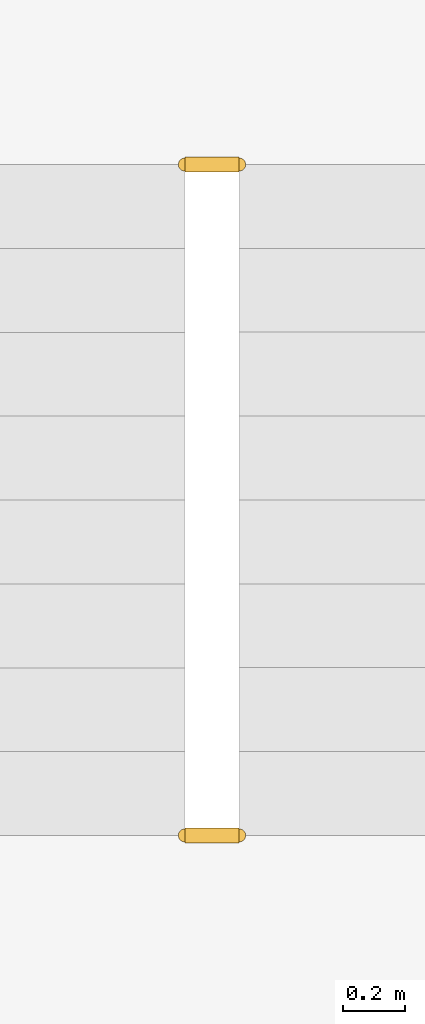
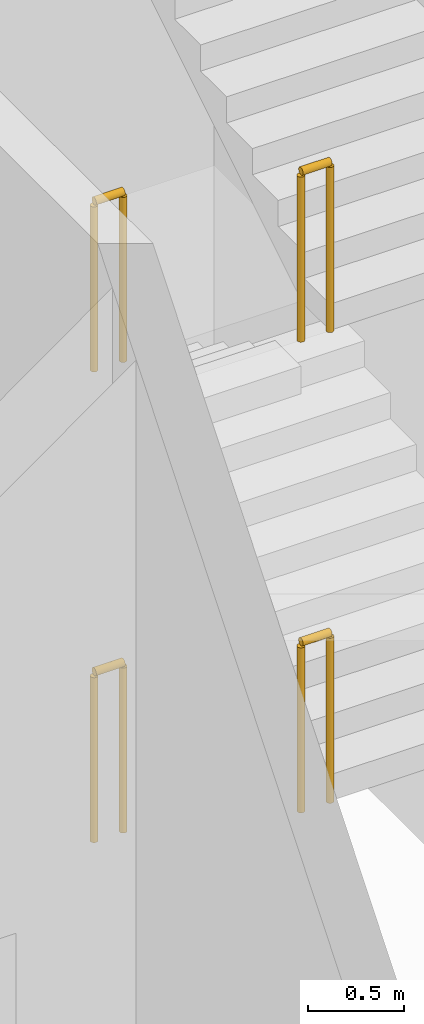
# One storey, part 24 of 25: 4 railings.
"""IFC4 building model written with IfcOpenShell, lengths in metres."""

from ifc_helpers import new_model, si_unit, direction, frame, origin, origin_2d, place, context, subcontext, project, spatial, circle, extrude, material, type_object, element, save


model = new_model("IFC4")

# Units and contexts
model_context = context("Model", 3, precision=1e-05, world=origin(), true_north=direction((0.0, 1.0)))
body_context = subcontext(model_context, "Body", "Model", "MODEL_VIEW")
ifc_project = project(units=[si_unit("LENGTHUNIT", "METRE"), si_unit("AREAUNIT", "SQUARE_METRE"), si_unit("VOLUMEUNIT", "CUBIC_METRE"), si_unit("PLANEANGLEUNIT", "RADIAN"), si_unit("MASSUNIT", "GRAM", prefix="KILO")], contexts=[model_context])

# Site, building, storey
site_placement = place(None, origin())
site = spatial("IfcSite", under=ifc_project, at=site_placement, CompositionType="ELEMENT")
building_placement = place(site_placement, origin())
building = spatial("IfcBuilding", under=site, at=building_placement, Name="Isbrekke Arena Tower", CompositionType="ELEMENT")
storey_placement = place(building_placement, frame((0.0, 0.0, 6.0)))
storey = spatial("IfcBuildingStorey", under=building, at=storey_placement, Name="L01", CompositionType="ELEMENT", Elevation=6.0)

# Railings
ifc_material = material(Name="Steel stair guard, vertical bars, steel handrail", Category="steel")
railing_type = type_object("IfcRailingType", Name="GR3 STAIR WELL GUARD 1100", PredefinedType="GUARDRAIL", material=ifc_material)
for number, where, name in (
    (1, (11.824951171875, 22.0, 0.0), "GR3 stair well guard ST2 L01"),
    (2, (11.824951171875, 19.840087890625, 1.5), "GR3 stair well guard ST2 L01"),
    (3, (11.824951171875, 22.0, 3.0), "GR3 stair well guard ST2 L01"),
    (4, (11.824951171875, 19.840087890625, 4.5), "GR3 stair well guard ST2 L01"),
):
    element("IfcRailing", number, at=place(storey_placement, frame(where)), inside=storey, type_object=railing_type, Name=name, PredefinedType="GUARDRAIL", context=body_context, shape_type="SweptSolid", body=[
        extrude(circle(Radius=0.02392578125, at=origin_2d()), frame((0.0, 0.0, 1.076171875), z_axis=(1.0, 0.0, 0.0), x_axis=(0.0, 1.0, 0.0)), (0.0, 0.0, 1.0), 0.175048828125),
        extrude(circle(Radius=0.02099609375, at=origin_2d()), origin(), (0.0, 0.0, 1.0), 1.052001953125),
        extrude(circle(Radius=0.02099609375, at=origin_2d()), frame((0.175048828125, 0.0, 0.0)), (0.0, 0.0, 1.0), 1.052001953125),
    ])

save(model, "model.ifc")
